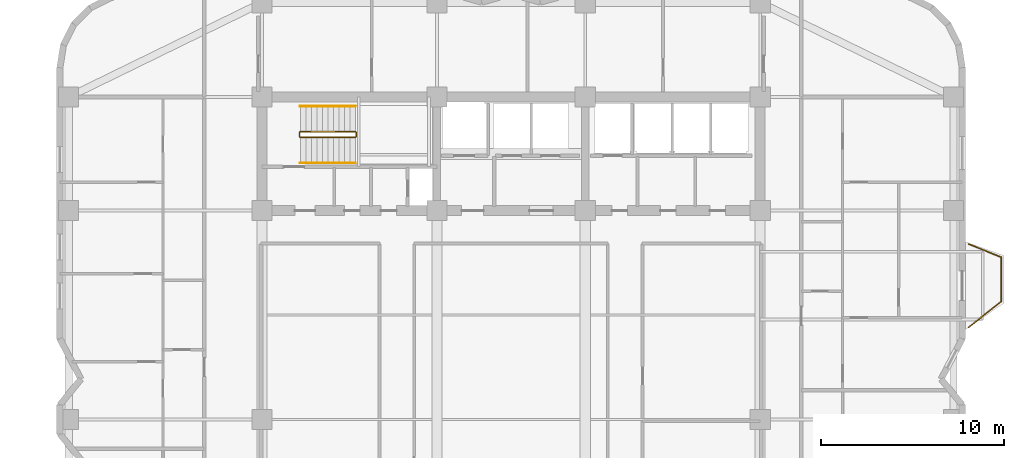
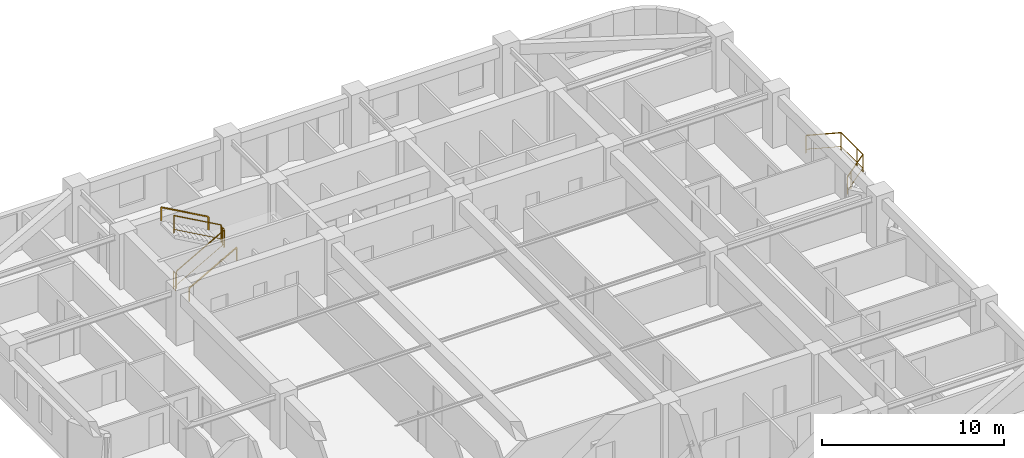
# One storey, part 10 of 10: 7 railings.
"""IFC4 building model written with IfcOpenShell, lengths in metres."""

from ifc_helpers import new_model, si_unit, direction, frame, origin, origin_2d, place, context, subcontext, project, spatial, rectangle, extrude, material, type_object, element, save


model = new_model("IFC4")

# Units and contexts
model_context = context("Model", 3, precision=1e-05, world=origin(), true_north=direction((0.0, 1.0)))
body_context = subcontext(model_context, "Body", "Model", "MODEL_VIEW")
ifc_project = project(units=[si_unit("LENGTHUNIT", "METRE"), si_unit("AREAUNIT", "SQUARE_METRE"), si_unit("VOLUMEUNIT", "CUBIC_METRE"), si_unit("PLANEANGLEUNIT", "RADIAN"), si_unit("MASSUNIT", "GRAM", prefix="KILO")], contexts=[model_context])

# Site, building, storey
site_placement = place(None, origin())
site = spatial("IfcSite", under=ifc_project, at=site_placement, CompositionType="ELEMENT")
building_placement = place(site_placement, origin())
building = spatial("IfcBuilding", under=site, at=building_placement, Name="Svetorya Sky Lyceum", CompositionType="ELEMENT")
storey_placement = place(building_placement, frame((0.0, 0.0, 132.699951171875)))
storey = spatial("IfcBuildingStorey", under=building, at=storey_placement, Name="L33", CompositionType="ELEMENT", Elevation=132.699951171875)

# Railings
ifc_material_1 = material(Name="Laminated safety glass and stainless AISI 316", Category="glass")
railing_type_1 = type_object("IfcRailingType", Name="RL-BAL-1200", PredefinedType="BALUSTRADE", material=ifc_material_1)
railing_1_placement = place(storey_placement, frame((64.169921875, 37.780029296875, 0.0)))
element("IfcRailing", 1, at=railing_1_placement, inside=storey, type_object=railing_type_1, Name="L33 Balcony Balustrade BAL-E1", PredefinedType="BALUSTRADE", context=body_context, shape_type="SweptSolid", body=[
    extrude(rectangle(XDim=0.048095703125, YDim=0.048095703125, at=origin_2d()), frame((0.0, 0.0, 1.17578125), z_axis=(0.926697865975, -0.375807218129, 0.0), x_axis=(0.375807218129, 0.926697865975, 0.0)), (0.0, 0.0, 1.0), 1.9423828125),
    extrude(rectangle(XDim=0.02392578125, YDim=0.02392578125, at=origin_2d()), frame((0.0, 0.0, 0.25), z_axis=(0.926697865975, -0.375807218129, 0.0), x_axis=(0.375807218129, 0.926697865975, 0.0)), (0.0, 0.0, 1.0), 1.9423828125),
    extrude(rectangle(XDim=0.048095703125, YDim=0.048095703125, at=origin_2d()), frame((1.800048828125, -0.72998046875, 1.17578125), z_axis=(0.0, -1.0, 0.0), x_axis=(1.0, 0.0, 0.0)), (0.0, 0.0, 1.0), 2.400146484375),
    extrude(rectangle(XDim=0.02392578125, YDim=0.02392578125, at=origin_2d()), frame((1.800048828125, -0.72998046875, 0.25), z_axis=(0.0, -1.0, 0.0), x_axis=(1.0, 0.0, 0.0)), (0.0, 0.0, 1.0), 2.400146484375),
    extrude(rectangle(XDim=0.048095703125, YDim=0.048095703125, at=origin_2d()), frame((1.800048828125, -3.130126953125, 1.17578125), z_axis=(-0.783008919264, -0.622010476079, 0.0), x_axis=(0.622010476079, -0.783008919264, 0.0)), (0.0, 0.0, 1.0), 2.298828125),
    extrude(rectangle(XDim=0.02392578125, YDim=0.02392578125, at=origin_2d()), frame((1.800048828125, -3.130126953125, 0.25), z_axis=(-0.783008919264, -0.622010476079, 0.0), x_axis=(0.622010476079, -0.783008919264, 0.0)), (0.0, 0.0, 1.0), 2.298828125),
    extrude(rectangle(XDim=0.0419921875, YDim=0.0419921875, at=origin_2d()), origin(), (0.0, 0.0, 1.0), 1.15185546875),
    extrude(rectangle(XDim=0.0419921875, YDim=0.0419921875, at=origin_2d()), frame((1.800048828125, -0.72998046875, 0.0)), (0.0, 0.0, 1.0), 1.15185546875),
    extrude(rectangle(XDim=0.0419921875, YDim=0.0419921875, at=origin_2d()), frame((1.800048828125, -2.47998046875, 0.0)), (0.0, 0.0, 1.0), 1.15185546875),
    extrude(rectangle(XDim=0.0419921875, YDim=0.0419921875, at=origin_2d()), frame((1.800048828125, -3.130126953125, 0.0)), (0.0, 0.0, 1.0), 1.15185546875),
    extrude(rectangle(XDim=0.0419921875, YDim=0.0419921875, at=origin_2d()), frame((0.4296875, -4.21875, 0.0)), (0.0, 0.0, 1.0), 1.15185546875),
    extrude(rectangle(XDim=0.0419921875, YDim=0.0419921875, at=origin_2d()), frame((0.0, -4.56005859375, 0.0)), (0.0, 0.0, 1.0), 1.15185546875),
])
ifc_material_2 = material(Name="Painted galvanized stair well guard")
railing_type_2 = type_object("IfcRailingType", Name="RL-STR-GUARD-1200", PredefinedType="GUARDRAIL", material=ifc_material_2)
railing_2_placement = place(storey_placement, frame((27.699951171875, 43.60009765625, 0.168212890625)))
element("IfcRailing", 2, at=railing_2_placement, inside=storey, type_object=railing_type_2, Name="L33 ST-N stair guard 1", PredefinedType="GUARDRAIL", context=body_context, shape_type="SweptSolid", body=[
    extrude(rectangle(XDim=0.048095703125, YDim=0.048095703125, at=origin_2d()), frame((0.0, 0.0, 1.17578125), z_axis=(0.872272294576, 0.0, 0.489020494575), x_axis=(0.0, 1.0, 0.0)), (0.0, 0.0, 1.0), 3.439208984375),
    extrude(rectangle(XDim=0.02392578125, YDim=0.02392578125, at=origin_2d()), frame((0.0, 0.0, 0.25), z_axis=(0.872272294576, 0.0, 0.489020494575), x_axis=(0.0, 1.0, 0.0)), (0.0, 0.0, 1.0), 3.439208984375),
    extrude(rectangle(XDim=0.0419921875, YDim=0.0419921875, at=origin_2d()), origin(), (0.0, 0.0, 1.0), 1.15185546875),
    extrude(rectangle(XDim=0.0419921875, YDim=0.0419921875, at=origin_2d()), frame((3.0, 0.0, 1.681884765625)), (0.0, 0.0, 1.0), 1.15185546875),
])
railing_3_placement = place(storey_placement, frame((30.75, 43.64990234375, 1.85009765625)))
element("IfcRailing", 3, at=railing_3_placement, inside=storey, type_object=railing_type_2, Name="L33 ST-N stair guard 2", PredefinedType="GUARDRAIL", context=body_context, shape_type="SweptSolid", body=[
    extrude(rectangle(XDim=0.048095703125, YDim=0.048095703125, at=origin_2d()), frame((0.0, 0.0, 1.17578125), z_axis=(0.0, 1.0, 0.0), x_axis=(-1.0, 0.0, 0.0)), (0.0, 0.0, 1.0), 0.2001953125),
    extrude(rectangle(XDim=0.02392578125, YDim=0.02392578125, at=origin_2d()), frame((0.0, 0.0, 0.25), z_axis=(0.0, 1.0, 0.0), x_axis=(-1.0, 0.0, 0.0)), (0.0, 0.0, 1.0), 0.2001953125),
    extrude(rectangle(XDim=0.0419921875, YDim=0.0419921875, at=origin_2d()), origin(), (0.0, 0.0, 1.0), 1.15185546875),
    extrude(rectangle(XDim=0.0419921875, YDim=0.0419921875, at=origin_2d()), frame((0.0, 0.2001953125, 0.0)), (0.0, 0.0, 1.0), 1.15185546875),
])
railing_4_placement = place(storey_placement, frame((30.699951171875, 43.89990234375, 2.018310546875)))
element("IfcRailing", 4, at=railing_4_placement, inside=storey, type_object=railing_type_2, Name="L33 ST-N stair guard 3", PredefinedType="GUARDRAIL", context=body_context, shape_type="SweptSolid", body=[
    extrude(rectangle(XDim=0.048095703125, YDim=0.048095703125, at=origin_2d()), frame((0.0, 0.0, 1.17578125), z_axis=(-0.872302573547, 0.0, 0.488966481656), x_axis=(0.0, -1.0, 0.0)), (0.0, 0.0, 1.0), 3.439208984375),
    extrude(rectangle(XDim=0.02392578125, YDim=0.02392578125, at=origin_2d()), frame((0.0, 0.0, 0.25), z_axis=(-0.872302573547, 0.0, 0.488966481656), x_axis=(0.0, -1.0, 0.0)), (0.0, 0.0, 1.0), 3.439208984375),
    extrude(rectangle(XDim=0.0419921875, YDim=0.0419921875, at=origin_2d()), origin(), (0.0, 0.0, 1.0), 1.15185546875),
    extrude(rectangle(XDim=0.0419921875, YDim=0.0419921875, at=origin_2d()), frame((-3.0, 0.0, 1.681640625)), (0.0, 0.0, 1.0), 1.15185546875),
])
railing_5_placement = place(storey_placement, frame((27.64990234375, 43.64990234375, 0.0)))
element("IfcRailing", 5, at=railing_5_placement, inside=storey, type_object=railing_type_2, Name="L33 ST-N stair guard 4", PredefinedType="GUARDRAIL", context=body_context, shape_type="SweptSolid", body=[
    extrude(rectangle(XDim=0.048095703125, YDim=0.048095703125, at=origin_2d()), frame((0.0, 0.0, 1.17578125), z_axis=(0.0, 1.0, 0.0), x_axis=(-1.0, 0.0, 0.0)), (0.0, 0.0, 1.0), 0.2001953125),
    extrude(rectangle(XDim=0.02392578125, YDim=0.02392578125, at=origin_2d()), frame((0.0, 0.0, 0.25), z_axis=(0.0, 1.0, 0.0), x_axis=(-1.0, 0.0, 0.0)), (0.0, 0.0, 1.0), 0.2001953125),
    extrude(rectangle(XDim=0.0419921875, YDim=0.0419921875, at=origin_2d()), origin(), (0.0, 0.0, 1.0), 1.15185546875),
    extrude(rectangle(XDim=0.0419921875, YDim=0.0419921875, at=origin_2d()), frame((0.0, 0.2001953125, 0.0)), (0.0, 0.0, 1.0), 1.15185546875),
])
ifc_material_3 = material(Name="Brushed stainless AISI 304 stair handrail")
railing_type_3 = type_object("IfcRailingType", Name="RL-STR-HAND-920", PredefinedType="HANDRAIL", material=ifc_material_3)
railing_6_placement = place(storey_placement, frame((27.699951171875, 42.199951171875, 0.168212890625)))
element("IfcRailing", 6, at=railing_6_placement, inside=storey, type_object=railing_type_3, Name="L33 ST-N stair handrail 1", PredefinedType="HANDRAIL", context=body_context, shape_type="SweptSolid", body=[
    extrude(rectangle(XDim=0.048095703125, YDim=0.048095703125, at=origin_2d()), frame((0.0, 0.0, 0.8759765625), z_axis=(0.872272294576, 0.0, 0.489020494575), x_axis=(0.0, 1.0, 0.0)), (0.0, 0.0, 1.0), 3.439208984375),
    extrude(rectangle(XDim=0.0419921875, YDim=0.0419921875, at=origin_2d()), origin(), (0.0, 0.0, 1.0), 0.851806640625),
    extrude(rectangle(XDim=0.0419921875, YDim=0.0419921875, at=origin_2d()), frame((3.0, 0.0, 1.681884765625)), (0.0, 0.0, 1.0), 0.851806640625),
])
railing_7_placement = place(storey_placement, frame((30.699951171875, 45.300048828125, 2.018310546875)))
element("IfcRailing", 7, at=railing_7_placement, inside=storey, type_object=railing_type_3, Name="L33 ST-N stair handrail 2", PredefinedType="HANDRAIL", context=body_context, shape_type="SweptSolid", body=[
    extrude(rectangle(XDim=0.048095703125, YDim=0.048095703125, at=origin_2d()), frame((0.0, 0.0, 0.8759765625), z_axis=(-0.872302573547, 0.0, 0.488966481656), x_axis=(0.0, -1.0, 0.0)), (0.0, 0.0, 1.0), 3.439208984375),
    extrude(rectangle(XDim=0.0419921875, YDim=0.0419921875, at=origin_2d()), origin(), (0.0, 0.0, 1.0), 0.851806640625),
    extrude(rectangle(XDim=0.0419921875, YDim=0.0419921875, at=origin_2d()), frame((-3.0, 0.0, 1.681640625)), (0.0, 0.0, 1.0), 0.851806640625),
])

save(model, "model.ifc")
